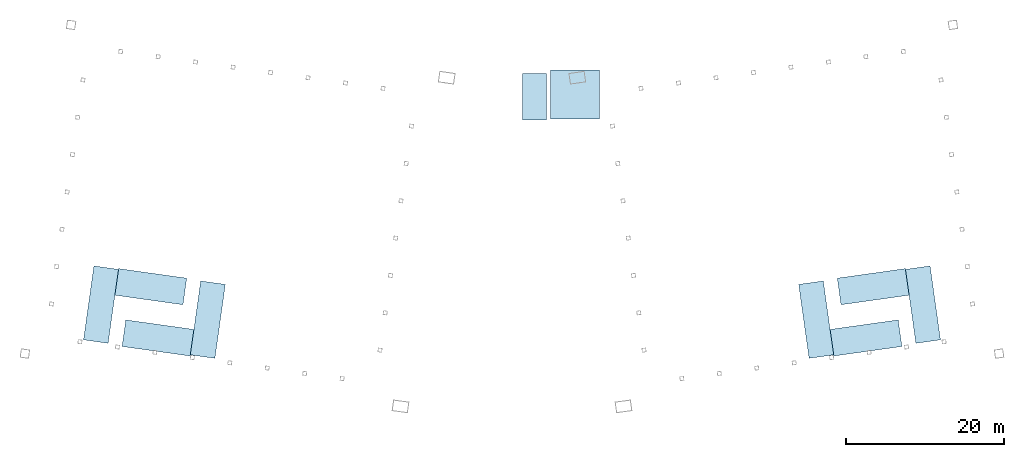
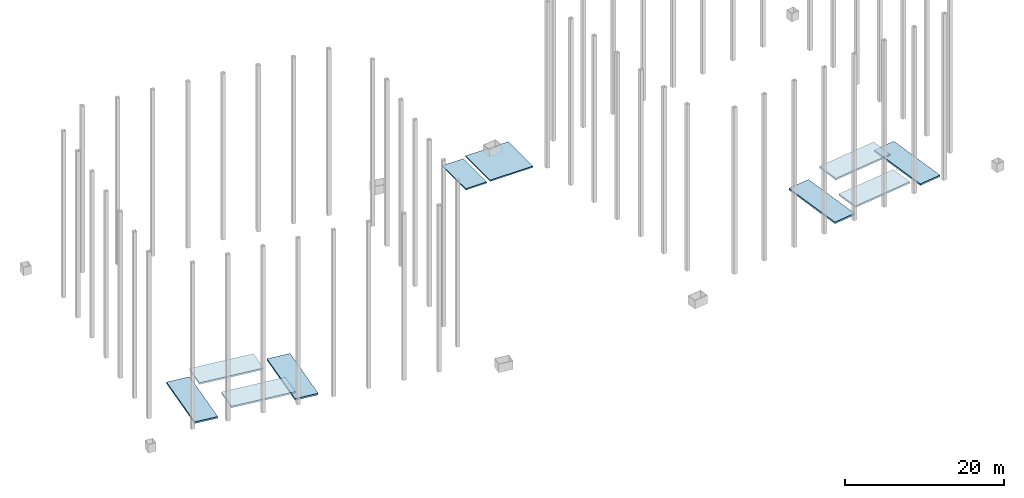
# One storey, part 3 of 3: 10 slabs.
"""IFC4 building model written with IfcOpenShell, lengths in metres."""

import ifcopenshell
import ifcopenshell.guid

model = None  # the IFC model being written
_history = None  # IfcOwnerHistory: only IFC2X3 demands one
_inside = {}  # id of a spatial element -> (the spatial element, [elements in it])
_under = {}  # id of a project, library or spatial element -> (it, [spatial elements below it])
_declared = {}  # id of a project -> (the project, [libraries it declares])
_typed = {}  # id of a type object -> (the type object, [elements of that type])
_made_of = {}  # id of a material, layer set ... -> (it, [elements and type objects made of it])


def new_model(schema):
    """Start an empty IFC model of exactly this schema.

    Asked for "IFC4X3", IfcOpenShell would pick the latest addendum, in which some entities
    have other attributes; the version numbers below select the first issue.
    IFC2X3 requires an IfcOwnerHistory on every rooted entity: one is made here for all.
    """
    global model, _history
    if schema == "IFC4X3":
        model = ifcopenshell.file(schema_version=(4, 3, 0, 0))
    else:
        model = ifcopenshell.file(schema=schema)
    _inside.clear()
    _under.clear()
    _declared.clear()
    _typed.clear()
    _made_of.clear()
    _history = None
    if model.schema == "IFC2X3":
        org = make("IfcOrganization", Name="unknown")
        user = make(
            "IfcPersonAndOrganization",
            ThePerson=make("IfcPerson", FamilyName="unknown"),
            TheOrganization=org,
        )
        app = make(
            "IfcApplication",
            ApplicationDeveloper=org,
            Version="unknown",
            ApplicationFullName="unknown",
            ApplicationIdentifier="unknown",
        )
        _history = make(
            "IfcOwnerHistory",
            OwningUser=user,
            OwningApplication=app,
            ChangeAction="ADDED",
            CreationDate=0,
        )
    return model


def make(cls, **values):
    """One entity of the class cls with the attributes given. An attribute that is None is left unset."""
    return model.create_entity(
        cls, **{name: value for name, value in values.items() if value is not None}
    )


def rooted(cls, **values):
    """An entity with a GlobalId (a new one), such as an element, a storey or a relation."""
    return make(cls, GlobalId=ifcopenshell.guid.new(), OwnerHistory=_history, **values)


def si_unit(unit_type, name, prefix=None):
    """IfcSIUnit, for example si_unit("LENGTHUNIT", "METRE", prefix="MILLI")."""
    return make("IfcSIUnit", UnitType=unit_type, Prefix=prefix, Name=name)


def assignment(units):
    """IfcUnitAssignment: the units of a project."""
    return None if units is None else make("IfcUnitAssignment", Units=units)


def point(xyz):
    """IfcCartesianPoint."""
    return None if xyz is None else make("IfcCartesianPoint", Coordinates=xyz)


def direction(xyz):
    """IfcDirection."""
    return None if xyz is None else make("IfcDirection", DirectionRatios=xyz)


def frame(location, z_axis=None, x_axis=None):
    """IfcAxis2Placement3D, a coordinate frame: its origin and axes. An axis left out is left unset."""
    return make(
        "IfcAxis2Placement3D",
        Location=point(location),
        Axis=direction(z_axis),
        RefDirection=direction(x_axis),
    )


def origin():
    """The frame at (0, 0, 0) with its axes left unset."""
    return frame((0.0, 0.0, 0.0))


def place(relative_to, where):
    """IfcLocalPlacement: puts the frame where relative to a parent placement (None: the world)."""
    return make(
        "IfcLocalPlacement", PlacementRelTo=relative_to, RelativePlacement=where
    )


def context(
    kind, dimensions, precision=None, world=None, true_north=None, identifier=None
):
    """IfcGeometricRepresentationContext, for example the 3D "Model" context."""
    return make(
        "IfcGeometricRepresentationContext",
        ContextIdentifier=identifier,
        ContextType=kind,
        CoordinateSpaceDimension=dimensions,
        Precision=precision,
        WorldCoordinateSystem=world,
        TrueNorth=true_north,
    )


def subcontext(parent, identifier, kind, view, scale=None):
    """IfcGeometricRepresentationSubContext, for example "Body" below "Model"."""
    return make(
        "IfcGeometricRepresentationSubContext",
        ContextIdentifier=identifier,
        ContextType=kind,
        ParentContext=parent,
        TargetScale=scale,
        TargetView=view,
    )


def project(units=None, contexts=None):
    """IfcProject with its units and contexts."""
    return rooted(
        "IfcProject",
        Name="project",
        RepresentationContexts=contexts,
        UnitsInContext=assignment(units),
    )


def spatial(cls, under=None, at=None, **own):
    """A site, building, storey or space (cls), placed at a placement, below another one or the project."""
    s = rooted(cls, ObjectPlacement=at, **own)
    if under is not None:
        _under.setdefault(under.id(), (under, []))[1].append(s)
    return s


def polyline(points):
    """IfcPolyline through the points."""
    return make("IfcPolyline", Points=[point(p) for p in points])


def outline(outer, holes=None, kind="AREA"):
    """IfcArbitraryClosedProfileDef: a profile drawn as a closed curve; with holes, ...WithVoids."""
    if holes is None:
        return make("IfcArbitraryClosedProfileDef", ProfileType=kind, OuterCurve=outer)
    return make(
        "IfcArbitraryProfileDefWithVoids",
        ProfileType=kind,
        OuterCurve=outer,
        InnerCurves=holes,
    )


def extrude(swept, where, along, depth):
    """IfcExtrudedAreaSolid: the profile swept, set in the frame where, extruded along a direction by depth."""
    return make(
        "IfcExtrudedAreaSolid",
        SweptArea=swept,
        Position=where,
        ExtrudedDirection=direction(along),
        Depth=depth,
    )


def shape(context_of_items, identifier, shape_type, items):
    """IfcShapeRepresentation: the items that make up one representation, for example the "Body"."""
    return make(
        "IfcShapeRepresentation",
        ContextOfItems=context_of_items,
        RepresentationIdentifier=identifier,
        RepresentationType=shape_type,
        Items=items,
    )


def material(Name=None, Category=None):
    """IfcMaterial."""
    return make("IfcMaterial", Name=Name, Category=Category)


def layer(
    of_material, thickness, ventilated=None, Name=None, Category=None, Priority=None
):
    """IfcMaterialLayer: one layer of a wall or slab, of a material (None: an air gap)."""
    return make(
        "IfcMaterialLayer",
        Material=of_material,
        LayerThickness=thickness,
        IsVentilated=ventilated,
        Name=Name,
        Category=Category,
        Priority=Priority,
    )


def layer_set(layers, Name=None):
    """IfcMaterialLayerSet."""
    return make("IfcMaterialLayerSet", MaterialLayers=layers, LayerSetName=Name)


def made_of(thing, what):
    """Note that an element or type object is made of a material, layer set ...; save() writes the relation."""
    if what is not None:
        _made_of.setdefault(what.id(), (what, []))[1].append(thing)
    return thing


def type_object(cls, material=None, **own):
    """A type object (cls), such as IfcWallType, which elements share."""
    return made_of(rooted(cls, **own), material)


def element(
    cls,
    number,
    at=None,
    inside=None,
    cuts=None,
    type_object=None,
    material=None,
    context=None,
    identifier="Body",
    shape_type=None,
    held_by="IfcProductDefinitionShape",
    body=None,
    shapes=None,
    **own,
):
    """One element of the class cls, such as IfcWall. Its Tag is "e" and its number.

    at: its placement. inside: the storey or other place that contains it. cuts: it is an
    opening in that element (IfcRelVoidsElement). A single representation is given by context,
    identifier, shape_type and body (its items); several are given by shapes. held_by: the class
    of the entity that holds the representations. save() writes the other relations.
    """
    e = rooted(cls, Tag="e%d" % number, ObjectPlacement=at, **own)
    if body is not None:
        shapes = [shape(context, identifier, shape_type, body)]
    if shapes is not None:
        e.Representation = make(held_by, Representations=shapes)
    if inside is not None:
        _inside.setdefault(inside.id(), (inside, []))[1].append(e)
    if cuts is not None:
        rooted(
            "IfcRelVoidsElement", RelatingBuildingElement=cuts, RelatedOpeningElement=e
        )
    if type_object is not None:
        _typed.setdefault(type_object.id(), (type_object, []))[1].append(e)
    return made_of(e, material)


def aggregate(whole, parts):
    """IfcRelAggregates: a whole, such as a stair, and the parts it consists of."""
    return rooted("IfcRelAggregates", RelatingObject=whole, RelatedObjects=parts)


def save(model, path):
    """Write the relations noted so far, then the file.

    IfcRelAggregates (storeys below a building ...), IfcRelContainedInSpatialStructure (elements
    in a storey), IfcRelDefinesByType, IfcRelAssociatesMaterial and IfcRelDeclares: one each for
    every whole, place, type object, material and project.
    """
    for whole, parts in _under.values():
        aggregate(whole, parts)
    for where, things in _inside.values():
        rooted(
            "IfcRelContainedInSpatialStructure",
            RelatedElements=things,
            RelatingStructure=where,
        )
    for kind, things in _typed.values():
        rooted("IfcRelDefinesByType", RelatedObjects=things, RelatingType=kind)
    for what, things in _made_of.values():
        rooted("IfcRelAssociatesMaterial", RelatedObjects=things, RelatingMaterial=what)
    for by, libraries in _declared.values():
        rooted("IfcRelDeclares", RelatingContext=by, RelatedDefinitions=libraries)
    model.write(path)


model = new_model("IFC4")

# Units and contexts
model_context = context("Model", 3, precision=1e-05, world=origin(), true_north=direction((0.0, 1.0)))
body_context = subcontext(model_context, "Body", "Model", "MODEL_VIEW")
ifc_project = project(units=[si_unit("LENGTHUNIT", "METRE"), si_unit("AREAUNIT", "SQUARE_METRE"), si_unit("VOLUMEUNIT", "CUBIC_METRE"), si_unit("PLANEANGLEUNIT", "RADIAN"), si_unit("MASSUNIT", "GRAM", prefix="KILO")], contexts=[model_context])

# Site, building, storey
site_placement = place(None, origin())
site = spatial("IfcSite", under=ifc_project, at=site_placement, CompositionType="ELEMENT")
building_placement = place(site_placement, origin())
building = spatial("IfcBuilding", under=site, at=building_placement, Name="Mirante Cascada Hotel Towers", CompositionType="ELEMENT")
storey_placement = place(building_placement, frame((0.0, 0.0, 272.8)))
storey = spatial("IfcBuildingStorey", under=building, at=storey_placement, Name="Upper roof", CompositionType="ELEMENT", Elevation=272.8)

# Slabs
ifc_material_1 = material(Name="Precast concrete C40/50", Category="concrete")
ifc_layer_1 = layer(ifc_material_1, 0.2)
ifc_layer_set_1 = layer_set([ifc_layer_1], Name="Head-house roof slab 200 C40/50")
slab_type_1 = type_object("IfcSlabType", Name="Head-house roof slab 200 C40/50", PredefinedType="ROOF", material=ifc_layer_set_1)
slab_1_placement = place(storey_placement, origin())
element("IfcSlab", 1, at=slab_1_placement, inside=storey, type_object=slab_type_1, Name="Stair head-house roof", PredefinedType="ROOF", context=body_context, shape_type="SweptSolid", body=[
    extrude(outline(polyline([(1.3, 10.81), (4.35, 10.81), (4.35, 16.71), (1.3, 16.71), (1.3, 10.81)])), origin(), (0.0, 0.0, 1.0), 0.2),
])
ifc_material_2 = material(Name="Concrete C50/60", Category="concrete")
ifc_layer_2 = layer(ifc_material_2, 0.25)
ifc_layer_set_2 = layer_set([ifc_layer_2], Name="Lift overrun roof 250 RC C50/60")
slab_type_2 = type_object("IfcSlabType", Name="Lift overrun roof 250 RC C50/60", PredefinedType="ROOF", material=ifc_layer_set_2)
slab_2_placement = place(storey_placement, frame((0.0, 0.0, 1.6)))
element("IfcSlab", 2, at=slab_2_placement, inside=storey, type_object=slab_type_2, Name="Lift overrun roof T1 R", PredefinedType="ROOF", context=body_context, shape_type="SweptSolid", body=[
    extrude(outline(polyline([(-40.2573, -15.7058), (-48.8726, -14.495), (-49.3458, -17.8619), (-40.7305, -19.0728), (-40.2573, -15.7058)])), origin(), (0.0, 0.0, 1.0), 0.25),
])
slab_3_placement = place(storey_placement, frame((0.0, 0.0, 1.6)))
element("IfcSlab", 3, at=slab_3_placement, inside=storey, type_object=slab_type_2, Name="Lift overrun roof T1 F", PredefinedType="ROOF", context=body_context, shape_type="SweptSolid", body=[
    extrude(outline(polyline([(-41.163, -9.2166), (-49.7783, -8.0058), (-50.2515, -11.3727), (-41.6362, -12.5836), (-41.163, -9.2166)])), origin(), (0.0, 0.0, 1.0), 0.25),
])
slab_4_placement = place(storey_placement, frame((0.0, 0.0, 1.6)))
element("IfcSlab", 4, at=slab_4_placement, inside=storey, type_object=slab_type_2, Name="Lift overrun roof T2 R", PredefinedType="ROOF", context=body_context, shape_type="SweptSolid", body=[
    extrude(outline(polyline([(40.7305, -19.0728), (49.3458, -17.8619), (48.8726, -14.495), (40.2573, -15.7058), (40.7305, -19.0728)])), origin(), (0.0, 0.0, 1.0), 0.25),
])
slab_5_placement = place(storey_placement, frame((0.0, 0.0, 1.6)))
element("IfcSlab", 5, at=slab_5_placement, inside=storey, type_object=slab_type_2, Name="Lift overrun roof T2 F", PredefinedType="ROOF", context=body_context, shape_type="SweptSolid", body=[
    extrude(outline(polyline([(41.6362, -12.5836), (50.2515, -11.3727), (49.7783, -8.0058), (41.163, -9.2166), (41.6362, -12.5836)])), origin(), (0.0, 0.0, 1.0), 0.25),
])
ifc_material_3 = material(Name="Precast concrete C40/50", Category="concrete")
ifc_layer_3 = layer(ifc_material_3, 0.2)
ifc_layer_set_3 = layer_set([ifc_layer_3], Name="Pavilion roof slab 200 C40/50")
slab_type_3 = type_object("IfcSlabType", Name="Pavilion roof slab 200 C40/50", PredefinedType="ROOF", material=ifc_layer_set_3)
slab_6_placement = place(storey_placement, origin())
element("IfcSlab", 6, at=slab_6_placement, inside=storey, type_object=slab_type_3, Name="Pavilion roof", PredefinedType="ROOF", context=body_context, shape_type="SweptSolid", body=[
    extrude(outline(polyline([(4.9, 10.9), (11.1, 10.9), (11.1, 17.1), (4.9, 17.1), (4.9, 10.9)])), origin(), (0.0, 0.0, 1.0), 0.2),
])
ifc_material_4 = material(Name="Concrete C50/60", Category="concrete")
ifc_layer_4 = layer(ifc_material_4, 0.25)
ifc_layer_set_4 = layer_set([ifc_layer_4], Name="Stair head-house roof 250 RC C50/60")
slab_type_4 = type_object("IfcSlabType", Name="Stair head-house roof 250 RC C50/60", PredefinedType="ROOF", material=ifc_layer_set_4)
slab_7_placement = place(storey_placement, frame((0.0, 0.0, 0.4)))
element("IfcSlab", 7, at=slab_7_placement, inside=storey, type_object=slab_type_4, Name="Stair head-house roof T1 A", PredefinedType="ROOF", context=body_context, shape_type="SweptSolid", body=[
    extrude(outline(polyline([(-36.2751, -10.0046), (-39.3944, -9.5662), (-40.7096, -18.9242), (-37.5903, -19.3626), (-36.2751, -10.0046)])), origin(), (0.0, 0.0, 1.0), 0.25),
])
slab_8_placement = place(storey_placement, frame((0.0, 0.0, 0.4)))
element("IfcSlab", 8, at=slab_8_placement, inside=storey, type_object=slab_type_4, Name="Stair head-house roof T1 B", PredefinedType="ROOF", context=body_context, shape_type="SweptSolid", body=[
    extrude(outline(polyline([(-49.7922, -8.1049), (-52.9116, -7.6665), (-54.2268, -17.0245), (-51.1074, -17.4629), (-49.7922, -8.1049)])), origin(), (0.0, 0.0, 1.0), 0.25),
])
slab_9_placement = place(storey_placement, frame((0.0, 0.0, 0.4)))
element("IfcSlab", 9, at=slab_9_placement, inside=storey, type_object=slab_type_4, Name="Stair head-house roof T2 A", PredefinedType="ROOF", context=body_context, shape_type="SweptSolid", body=[
    extrude(outline(polyline([(37.5903, -19.3626), (40.7096, -18.9242), (39.3944, -9.5662), (36.2751, -10.0046), (37.5903, -19.3626)])), origin(), (0.0, 0.0, 1.0), 0.25),
])
slab_10_placement = place(storey_placement, frame((0.0, 0.0, 0.4)))
element("IfcSlab", 10, at=slab_10_placement, inside=storey, type_object=slab_type_4, Name="Stair head-house roof T2 B", PredefinedType="ROOF", context=body_context, shape_type="SweptSolid", body=[
    extrude(outline(polyline([(51.1074, -17.4629), (54.2268, -17.0245), (52.9116, -7.6665), (49.7922, -8.1049), (51.1074, -17.4629)])), origin(), (0.0, 0.0, 1.0), 0.25),
])

save(model, "model.ifc")
